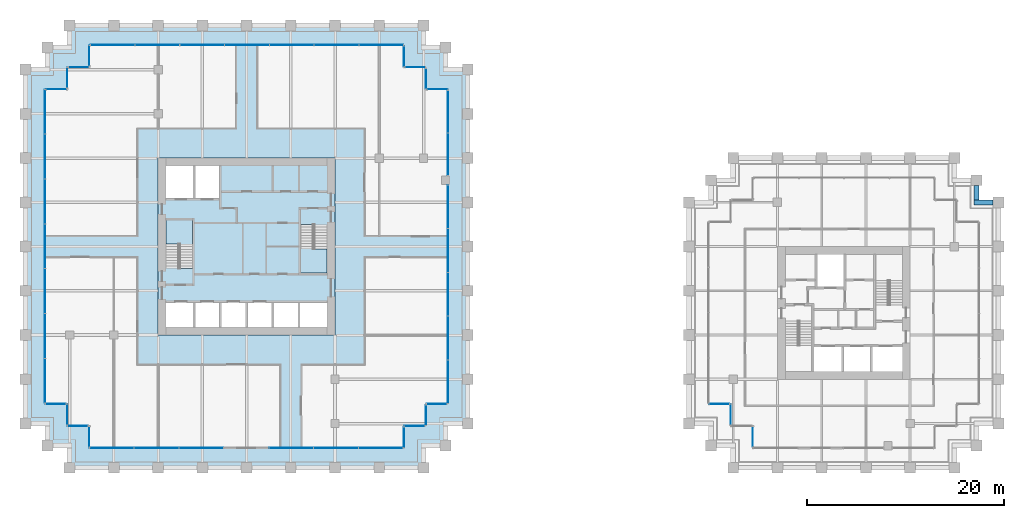
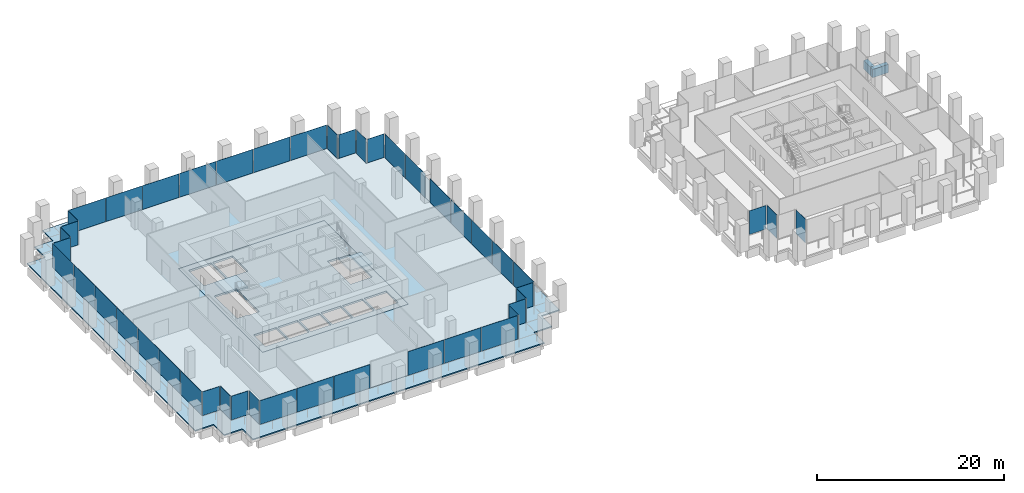
# One storey, part 48 of 54: 46 plates, 5 slabs, 2 beams, 27 elements without a shape of their own.
"""IFC4 building model written with IfcOpenShell, lengths in metres."""

from ifc_helpers import new_model, si_unit, direction, frame, origin, origin_2d, place, context, subcontext, project, spatial, polyline, rectangle, outline, extrude, material, layer, layer_set, material_profile, profile_set, type_object, element, aggregate, save


model = new_model("IFC4")

# Units and contexts
model_context = context("Model", 3, precision=1e-05, world=origin(), true_north=direction((0.0, 1.0)))
body_context = subcontext(model_context, "Body", "Model", "MODEL_VIEW")
ifc_project = project(units=[si_unit("LENGTHUNIT", "METRE"), si_unit("AREAUNIT", "SQUARE_METRE"), si_unit("VOLUMEUNIT", "CUBIC_METRE"), si_unit("PLANEANGLEUNIT", "RADIAN"), si_unit("MASSUNIT", "GRAM", prefix="KILO")], contexts=[model_context])

# Site, building, storey
site_placement = place(None, origin())
site = spatial("IfcSite", under=ifc_project, at=site_placement, CompositionType="ELEMENT")
building_placement = place(site_placement, origin())
building = spatial("IfcBuilding", under=site, at=building_placement, Name="Altepetl Exchange Towers", CompositionType="ELEMENT")
storey_placement = place(building_placement, frame((0.0, 0.0, 58.199951171875)))
storey = spatial("IfcBuildingStorey", under=building, at=storey_placement, Name="L13", CompositionType="ELEMENT", Elevation=58.199951171875)

# Beams
ifc_material_1 = material(Name="Concrete C50/60 precast with cantera amarilla facing", Category="concrete")
ifc_material_profile = material_profile(ifc_material_1, rectangle(XDim=0.5, YDim=1.10009765625, at=origin_2d()), Name="500 x 1100")
ifc_profile_set = profile_set([ifc_material_profile], Name="Concrete C50/60 precast with cantera amarilla facing")
beam_type = type_object("IfcBeamType", Name="Spandrel beam 500x1100 cantera amarilla", PredefinedType="SPANDREL", material=ifc_profile_set)
beam_1_placement = place(storey_placement, frame((125.449951171875, 54.0, -0.699951171875), z_axis=(-1.0, 0.0, 0.0), x_axis=(0.0, -1.0, 0.0)))
element("IfcBeam", 1, at=beam_1_placement, inside=storey, type_object=beam_type, Name="sp:B:L13:014", PredefinedType="SPANDREL", context=body_context, shape_type="SweptSolid", body=[
    extrude(rectangle(XDim=0.5, YDim=1.10009765625, at=origin_2d()), origin(), (0.0, 0.0, 1.0), 1.949951171875),
])
beam_2_placement = place(storey_placement, frame((123.75, 54.25, -0.699951171875), z_axis=(0.0, 1.0, 0.0), x_axis=(-1.0, 0.0, 0.0)))
element("IfcBeam", 2, at=beam_2_placement, inside=storey, type_object=beam_type, Name="sp:B:L13:015", PredefinedType="SPANDREL", context=body_context, shape_type="SweptSolid", body=[
    extrude(rectangle(XDim=0.5, YDim=1.10009765625, at=origin_2d()), origin(), (0.0, 0.0, 1.0), 1.449951171875),
])

# Slabs
ifc_material_2 = material(Name="Concrete C40/50", Category="concrete")
ifc_layer_1 = layer(ifc_material_2, 0.14990234375)
ifc_layer_set_1 = layer_set([ifc_layer_1], Name="Concrete C40/50")
slab_type_1 = type_object("IfcSlabType", Name="Composite floor slab 150", PredefinedType="FLOOR", material=ifc_layer_set_1)
slab_1_placement = place(storey_placement, frame((0.0, 0.0, -0.14990234375)))
element("IfcSlab", 3, at=slab_1_placement, inside=storey, type_object=slab_type_1, Name="slab:A:L13:strip0", PredefinedType="FLOOR", context=body_context, shape_type="SweptSolid", body=[
    extrude(outline(polyline([(31.25, 67.75), (31.25, 65.5), (29.0, 65.5), (29.0, 33.5), (31.25, 33.5), (31.25, 31.25), (33.5, 31.25), (33.5, 29.0), (65.5, 29.0), (65.5, 31.25), (67.75, 31.25), (67.75, 33.5), (70.0, 33.5), (70.0, 65.5), (67.75, 65.5), (67.75, 67.75), (65.5, 67.75), (65.5, 70.0), (33.5, 70.0), (33.5, 67.75), (31.25, 67.75)]), holes=[polyline([(58.5, 58.5), (58.5, 40.5), (40.5, 40.5), (40.5, 58.5), (58.5, 58.5)])]), origin(), (0.0, 0.0, 1.0), 0.14990234375),
])
ifc_layer_2 = layer(ifc_material_2, 0.25)
ifc_layer_set_2 = layer_set([ifc_layer_2], Name="Concrete C40/50")
slab_type_2 = type_object("IfcSlabType", Name="Core floor slab 250", PredefinedType="FLOOR", material=ifc_layer_set_2)
slab_2_placement = place(storey_placement, frame((0.0, 0.0, -0.25)))
element("IfcSlab", 4, at=slab_2_placement, inside=storey, type_object=slab_type_2, Name="slab:A:L13:core0", PredefinedType="FLOOR", context=body_context, shape_type="SweptSolid", body=[
    extrude(outline(polyline([(40.5, 40.5), (58.5, 40.5), (58.5, 58.5), (40.5, 58.5), (40.5, 40.5)]), holes=[polyline([(41.300048828125, 43.800048828125), (44.06689453125, 43.800048828125), (44.06689453125, 41.300048828125), (41.300048828125, 41.300048828125), (41.300048828125, 43.800048828125)]), polyline([(44.26708984375, 43.800048828125), (46.73291015625, 43.800048828125), (46.73291015625, 41.300048828125), (44.26708984375, 41.300048828125), (44.26708984375, 43.800048828125)]), polyline([(46.93310546875, 43.800048828125), (49.39990234375, 43.800048828125), (49.39990234375, 41.300048828125), (46.93310546875, 41.300048828125), (46.93310546875, 43.800048828125)]), polyline([(52.06689453125, 43.800048828125), (52.06689453125, 41.300048828125), (49.60009765625, 41.300048828125), (49.60009765625, 43.800048828125), (52.06689453125, 43.800048828125)]), polyline([(54.73291015625, 43.800048828125), (54.73291015625, 41.300048828125), (52.26708984375, 41.300048828125), (52.26708984375, 43.800048828125), (54.73291015625, 43.800048828125)]), polyline([(54.93310546875, 43.800048828125), (57.699951171875, 43.800048828125), (57.699951171875, 41.300048828125), (54.93310546875, 41.300048828125), (54.93310546875, 43.800048828125)]), polyline([(55.0, 51.7490234375), (56.39990234375, 51.7490234375), (56.39990234375, 51.64990234375), (57.699951171875, 51.64990234375), (57.699951171875, 46.800048828125), (55.0, 46.800048828125), (55.0, 51.7490234375)]), polyline([(44.0, 47.2509765625), (42.60009765625, 47.2509765625), (42.60009765625, 47.35009765625), (41.300048828125, 47.35009765625), (41.300048828125, 52.199951171875), (44.0, 52.199951171875), (44.0, 47.2509765625)]), polyline([(44.06689453125, 57.699951171875), (44.06689453125, 54.39990234375), (41.300048828125, 54.39990234375), (41.300048828125, 57.699951171875), (44.06689453125, 57.699951171875)]), polyline([(46.73291015625, 57.699951171875), (46.73291015625, 54.39990234375), (44.26708984375, 54.39990234375), (44.26708984375, 57.699951171875), (46.73291015625, 57.699951171875)])]), origin(), (0.0, 0.0, 1.0), 0.25),
])

# Curtain wall, plate
ifc_material_3 = material(Name="Aluminium 6063-T6 glazing", Category="aluminium")
curtain_wall_type = type_object("IfcCurtainWallType", Name="Loggia glazing system", PredefinedType="NOTDEFINED", material=ifc_material_3)
curtain_wall_1_placement = place(storey_placement, origin())
curtain_wall_1 = element("IfcCurtainWall", 5, at=curtain_wall_1_placement, inside=storey, type_object=curtain_wall_type, Name="CW1 run", PredefinedType="NOTDEFINED")
ifc_material_4 = material(Name="Glass 6-16-6 low emissivity", Category="glass")
ifc_layer_3 = layer(ifc_material_4, 0.028076171875)
ifc_layer_set_3 = layer_set([ifc_layer_3], Name="Glass 6-16-6 low emissivity")
plate_type = type_object("IfcPlateType", Name="Glass panel 28 double glazed", PredefinedType="CURTAIN_PANEL", material=ifc_layer_set_3)
plate_1_placement = place(storey_placement, frame((30.16259765625, 65.5, 0.0), z_axis=(0.0, 0.0, 1.0), x_axis=(-1.0, 0.0, 0.0)))
plate_1 = element("IfcPlate", 6, at=plate_1_placement, type_object=plate_type, Name="GP1 panel", PredefinedType="CURTAIN_PANEL", context=body_context, shape_type="SweptSolid", body=[
    extrude(rectangle(XDim=2.054931640625, YDim=0.028076171875, at=origin_2d()), origin(), (0.0, 0.0, 1.0), 3.10009765625),
])
aggregate(curtain_wall_1, [plate_1])

# Curtain wall, plates
curtain_wall_2_placement = place(storey_placement, origin())
curtain_wall_2 = element("IfcCurtainWall", 7, at=curtain_wall_2_placement, inside=storey, type_object=curtain_wall_type, Name="CW1 run", PredefinedType="NOTDEFINED")
plate_2_placement = place(storey_placement, frame((29.0, 63.20458984375, 0.0), z_axis=(0.0, 0.0, 1.0), x_axis=(0.0, -1.0, 0.0)))
plate_2 = element("IfcPlate", 8, at=plate_2_placement, type_object=plate_type, Name="GP1 panel", PredefinedType="CURTAIN_PANEL", context=body_context, shape_type="SweptSolid", body=[
    extrude(rectangle(XDim=4.470703125, YDim=0.028076171875, at=origin_2d()), origin(), (0.0, 0.0, 1.0), 3.10009765625),
])
plate_3_placement = place(storey_placement, frame((29.0, 58.658935546875, 0.0), z_axis=(0.0, 0.0, 1.0), x_axis=(0.0, -1.0, 0.0)))
plate_3 = element("IfcPlate", 9, at=plate_3_placement, type_object=plate_type, Name="GP1 panel", PredefinedType="CURTAIN_PANEL", context=body_context, shape_type="SweptSolid", body=[
    extrude(rectangle(XDim=4.500732421875, YDim=0.028076171875, at=origin_2d()), origin(), (0.0, 0.0, 1.0), 3.10009765625),
])
plate_4_placement = place(storey_placement, frame((29.0, 54.09814453125, 0.0), z_axis=(0.0, 0.0, 1.0), x_axis=(0.0, -1.0, 0.0)))
plate_4 = element("IfcPlate", 10, at=plate_4_placement, type_object=plate_type, Name="GP1 panel", PredefinedType="CURTAIN_PANEL", context=body_context, shape_type="SweptSolid", body=[
    extrude(rectangle(XDim=4.500732421875, YDim=0.028076171875, at=origin_2d()), origin(), (0.0, 0.0, 1.0), 3.10009765625),
])
plate_5_placement = place(storey_placement, frame((29.0, 49.53759765625, 0.0), z_axis=(0.0, 0.0, 1.0), x_axis=(0.0, -1.0, 0.0)))
plate_5 = element("IfcPlate", 11, at=plate_5_placement, type_object=plate_type, Name="GP1 panel", PredefinedType="CURTAIN_PANEL", context=body_context, shape_type="SweptSolid", body=[
    extrude(rectangle(XDim=4.500732421875, YDim=0.028076171875, at=origin_2d()), origin(), (0.0, 0.0, 1.0), 3.10009765625),
])
plate_6_placement = place(storey_placement, frame((29.0, 44.976806640625, 0.0), z_axis=(0.0, 0.0, 1.0), x_axis=(0.0, -1.0, 0.0)))
plate_6 = element("IfcPlate", 12, at=plate_6_placement, type_object=plate_type, Name="GP1 panel", PredefinedType="CURTAIN_PANEL", context=body_context, shape_type="SweptSolid", body=[
    extrude(rectangle(XDim=4.500732421875, YDim=0.028076171875, at=origin_2d()), origin(), (0.0, 0.0, 1.0), 3.10009765625),
])
plate_7_placement = place(storey_placement, frame((29.0, 40.416015625, 0.0), z_axis=(0.0, 0.0, 1.0), x_axis=(0.0, -1.0, 0.0)))
plate_7 = element("IfcPlate", 13, at=plate_7_placement, type_object=plate_type, Name="GP1 panel", PredefinedType="CURTAIN_PANEL", context=body_context, shape_type="SweptSolid", body=[
    extrude(rectangle(XDim=4.500732421875, YDim=0.028076171875, at=origin_2d()), origin(), (0.0, 0.0, 1.0), 3.10009765625),
])
plate_8_placement = place(storey_placement, frame((29.0, 35.870361328125, 0.0), z_axis=(0.0, 0.0, 1.0), x_axis=(0.0, -1.0, 0.0)))
plate_8 = element("IfcPlate", 14, at=plate_8_placement, type_object=plate_type, Name="GP1 panel", PredefinedType="CURTAIN_PANEL", context=body_context, shape_type="SweptSolid", body=[
    extrude(rectangle(XDim=4.470703125, YDim=0.028076171875, at=origin_2d()), origin(), (0.0, 0.0, 1.0), 3.10009765625),
])
aggregate(curtain_wall_2, [plate_2, plate_3, plate_4, plate_5, plate_6, plate_7, plate_8])

# Curtain wall, plate
curtain_wall_3_placement = place(storey_placement, origin())
curtain_wall_3 = element("IfcCurtainWall", 15, at=curtain_wall_3_placement, inside=storey, type_object=curtain_wall_type, Name="CW1 run", PredefinedType="NOTDEFINED")
plate_9_placement = place(storey_placement, frame((30.08740234375, 33.5, 0.0)))
plate_9 = element("IfcPlate", 16, at=plate_9_placement, type_object=plate_type, Name="GP1 panel", PredefinedType="CURTAIN_PANEL", context=body_context, shape_type="SweptSolid", body=[
    extrude(rectangle(XDim=2.054931640625, YDim=0.028076171875, at=origin_2d()), origin(), (0.0, 0.0, 1.0), 3.10009765625),
])
aggregate(curtain_wall_3, [plate_9])

curtain_wall_4_placement = place(storey_placement, origin())
curtain_wall_4 = element("IfcCurtainWall", 17, at=curtain_wall_4_placement, inside=storey, type_object=curtain_wall_type, Name="CW1 run", PredefinedType="NOTDEFINED")
plate_10_placement = place(storey_placement, frame((31.25, 32.41259765625, 0.0), z_axis=(0.0, 0.0, 1.0), x_axis=(0.0, -1.0, 0.0)))
plate_10 = element("IfcPlate", 18, at=plate_10_placement, type_object=plate_type, Name="GP1 panel", PredefinedType="CURTAIN_PANEL", context=body_context, shape_type="SweptSolid", body=[
    extrude(rectangle(XDim=2.054931640625, YDim=0.028076171875, at=origin_2d()), origin(), (0.0, 0.0, 1.0), 3.10009765625),
])
aggregate(curtain_wall_4, [plate_10])

curtain_wall_5_placement = place(storey_placement, origin())
curtain_wall_5 = element("IfcCurtainWall", 19, at=curtain_wall_5_placement, inside=storey, type_object=curtain_wall_type, Name="CW1 run", PredefinedType="NOTDEFINED")
plate_11_placement = place(storey_placement, frame((32.33740234375, 31.25, 0.0)))
plate_11 = element("IfcPlate", 20, at=plate_11_placement, type_object=plate_type, Name="GP1 panel", PredefinedType="CURTAIN_PANEL", context=body_context, shape_type="SweptSolid", body=[
    extrude(rectangle(XDim=2.054931640625, YDim=0.028076171875, at=origin_2d()), origin(), (0.0, 0.0, 1.0), 3.10009765625),
])
aggregate(curtain_wall_5, [plate_11])

curtain_wall_6_placement = place(storey_placement, origin())
curtain_wall_6 = element("IfcCurtainWall", 21, at=curtain_wall_6_placement, inside=storey, type_object=curtain_wall_type, Name="CW1 run", PredefinedType="NOTDEFINED")
plate_12_placement = place(storey_placement, frame((33.5, 30.16259765625, 0.0), z_axis=(0.0, 0.0, 1.0), x_axis=(0.0, -1.0, 0.0)))
plate_12 = element("IfcPlate", 22, at=plate_12_placement, type_object=plate_type, Name="GP1 panel", PredefinedType="CURTAIN_PANEL", context=body_context, shape_type="SweptSolid", body=[
    extrude(rectangle(XDim=2.054931640625, YDim=0.028076171875, at=origin_2d()), origin(), (0.0, 0.0, 1.0), 3.10009765625),
])
aggregate(curtain_wall_6, [plate_12])

# Curtain wall, plates
curtain_wall_7_placement = place(storey_placement, origin())
curtain_wall_7 = element("IfcCurtainWall", 23, at=curtain_wall_7_placement, inside=storey, type_object=curtain_wall_type, Name="CW1 run", PredefinedType="NOTDEFINED")
plate_13_placement = place(storey_placement, frame((35.79541015625, 29.0, 0.0)))
plate_13 = element("IfcPlate", 24, at=plate_13_placement, type_object=plate_type, Name="GP1 panel", PredefinedType="CURTAIN_PANEL", context=body_context, shape_type="SweptSolid", body=[
    extrude(rectangle(XDim=4.470703125, YDim=0.028076171875, at=origin_2d()), origin(), (0.0, 0.0, 1.0), 3.10009765625),
])
plate_14_placement = place(storey_placement, frame((40.341064453125, 29.0, 0.0)))
plate_14 = element("IfcPlate", 25, at=plate_14_placement, type_object=plate_type, Name="GP1 panel", PredefinedType="CURTAIN_PANEL", context=body_context, shape_type="SweptSolid", body=[
    extrude(rectangle(XDim=4.500732421875, YDim=0.028076171875, at=origin_2d()), origin(), (0.0, 0.0, 1.0), 3.10009765625),
])
plate_15_placement = place(storey_placement, frame((44.88671875, 29.0, 0.0)))
plate_15 = element("IfcPlate", 26, at=plate_15_placement, type_object=plate_type, Name="GP1 panel", PredefinedType="CURTAIN_PANEL", context=body_context, shape_type="SweptSolid", body=[
    extrude(rectangle(XDim=4.470703125, YDim=0.028076171875, at=origin_2d()), origin(), (0.0, 0.0, 1.0), 3.10009765625),
])
aggregate(curtain_wall_7, [plate_13, plate_14, plate_15])

curtain_wall_8_placement = place(storey_placement, origin())
curtain_wall_8 = element("IfcCurtainWall", 27, at=curtain_wall_8_placement, inside=storey, type_object=curtain_wall_type, Name="CW1 run", PredefinedType="NOTDEFINED")
plate_16_placement = place(storey_placement, frame((54.038330078125, 29.0, 0.0)))
plate_16 = element("IfcPlate", 28, at=plate_16_placement, type_object=plate_type, Name="GP1 panel", PredefinedType="CURTAIN_PANEL", context=body_context, shape_type="SweptSolid", body=[
    extrude(rectangle(XDim=4.470703125, YDim=0.028076171875, at=origin_2d()), origin(), (0.0, 0.0, 1.0), 3.10009765625),
])
plate_17_placement = place(storey_placement, frame((58.583984375, 29.0, 0.0)))
plate_17 = element("IfcPlate", 29, at=plate_17_placement, type_object=plate_type, Name="GP1 panel", PredefinedType="CURTAIN_PANEL", context=body_context, shape_type="SweptSolid", body=[
    extrude(rectangle(XDim=4.500732421875, YDim=0.028076171875, at=origin_2d()), origin(), (0.0, 0.0, 1.0), 3.10009765625),
])
plate_18_placement = place(storey_placement, frame((63.129638671875, 29.0, 0.0)))
plate_18 = element("IfcPlate", 30, at=plate_18_placement, type_object=plate_type, Name="GP1 panel", PredefinedType="CURTAIN_PANEL", context=body_context, shape_type="SweptSolid", body=[
    extrude(rectangle(XDim=4.470703125, YDim=0.028076171875, at=origin_2d()), origin(), (0.0, 0.0, 1.0), 3.10009765625),
])
aggregate(curtain_wall_8, [plate_16, plate_17, plate_18])

# Curtain wall, plate
curtain_wall_9_placement = place(storey_placement, origin())
curtain_wall_9 = element("IfcCurtainWall", 31, at=curtain_wall_9_placement, inside=storey, type_object=curtain_wall_type, Name="CW1 run", PredefinedType="NOTDEFINED")
plate_19_placement = place(storey_placement, frame((65.5, 30.08740234375, 0.0), z_axis=(0.0, 0.0, 1.0), x_axis=(0.0, 1.0, 0.0)))
plate_19 = element("IfcPlate", 32, at=plate_19_placement, type_object=plate_type, Name="GP1 panel", PredefinedType="CURTAIN_PANEL", context=body_context, shape_type="SweptSolid", body=[
    extrude(rectangle(XDim=2.054931640625, YDim=0.028076171875, at=origin_2d()), origin(), (0.0, 0.0, 1.0), 3.10009765625),
])
aggregate(curtain_wall_9, [plate_19])

curtain_wall_10_placement = place(storey_placement, origin())
curtain_wall_10 = element("IfcCurtainWall", 33, at=curtain_wall_10_placement, inside=storey, type_object=curtain_wall_type, Name="CW1 run", PredefinedType="NOTDEFINED")
plate_20_placement = place(storey_placement, frame((66.58740234375, 31.25, 0.0)))
plate_20 = element("IfcPlate", 34, at=plate_20_placement, type_object=plate_type, Name="GP1 panel", PredefinedType="CURTAIN_PANEL", context=body_context, shape_type="SweptSolid", body=[
    extrude(rectangle(XDim=2.054931640625, YDim=0.028076171875, at=origin_2d()), origin(), (0.0, 0.0, 1.0), 3.10009765625),
])
aggregate(curtain_wall_10, [plate_20])

curtain_wall_11_placement = place(storey_placement, origin())
curtain_wall_11 = element("IfcCurtainWall", 35, at=curtain_wall_11_placement, inside=storey, type_object=curtain_wall_type, Name="CW1 run", PredefinedType="NOTDEFINED")
plate_21_placement = place(storey_placement, frame((67.75, 32.33740234375, 0.0), z_axis=(0.0, 0.0, 1.0), x_axis=(0.0, 1.0, 0.0)))
plate_21 = element("IfcPlate", 36, at=plate_21_placement, type_object=plate_type, Name="GP1 panel", PredefinedType="CURTAIN_PANEL", context=body_context, shape_type="SweptSolid", body=[
    extrude(rectangle(XDim=2.054931640625, YDim=0.028076171875, at=origin_2d()), origin(), (0.0, 0.0, 1.0), 3.10009765625),
])
aggregate(curtain_wall_11, [plate_21])

curtain_wall_12_placement = place(storey_placement, origin())
curtain_wall_12 = element("IfcCurtainWall", 37, at=curtain_wall_12_placement, inside=storey, type_object=curtain_wall_type, Name="CW1 run", PredefinedType="NOTDEFINED")
plate_22_placement = place(storey_placement, frame((68.83740234375, 33.5, 0.0)))
plate_22 = element("IfcPlate", 38, at=plate_22_placement, type_object=plate_type, Name="GP1 panel", PredefinedType="CURTAIN_PANEL", context=body_context, shape_type="SweptSolid", body=[
    extrude(rectangle(XDim=2.054931640625, YDim=0.028076171875, at=origin_2d()), origin(), (0.0, 0.0, 1.0), 3.10009765625),
])
aggregate(curtain_wall_12, [plate_22])

# Curtain wall, plates
curtain_wall_13_placement = place(storey_placement, origin())
curtain_wall_13 = element("IfcCurtainWall", 39, at=curtain_wall_13_placement, inside=storey, type_object=curtain_wall_type, Name="CW1 run", PredefinedType="NOTDEFINED")
plate_23_placement = place(storey_placement, frame((70.0, 35.74560546875, 0.0), z_axis=(0.0, 0.0, 1.0), x_axis=(0.0, 1.0, 0.0)))
plate_23 = element("IfcPlate", 40, at=plate_23_placement, type_object=plate_type, Name="GP1 panel", PredefinedType="CURTAIN_PANEL", context=body_context, shape_type="SweptSolid", body=[
    extrude(rectangle(XDim=4.37109375, YDim=0.028076171875, at=origin_2d()), origin(), (0.0, 0.0, 1.0), 3.10009765625),
])
plate_24_placement = place(storey_placement, frame((70.0, 40.19140625, 0.0), z_axis=(0.0, 0.0, 1.0), x_axis=(0.0, 1.0, 0.0)))
plate_24 = element("IfcPlate", 41, at=plate_24_placement, type_object=plate_type, Name="GP1 panel", PredefinedType="CURTAIN_PANEL", context=body_context, shape_type="SweptSolid", body=[
    extrude(rectangle(XDim=4.40087890625, YDim=0.028076171875, at=origin_2d()), origin(), (0.0, 0.0, 1.0), 3.10009765625),
])
plate_25_placement = place(storey_placement, frame((70.0, 44.652587890625, 0.0), z_axis=(0.0, 0.0, 1.0), x_axis=(0.0, 1.0, 0.0)))
plate_25 = element("IfcPlate", 42, at=plate_25_placement, type_object=plate_type, Name="GP1 panel", PredefinedType="CURTAIN_PANEL", context=body_context, shape_type="SweptSolid", body=[
    extrude(rectangle(XDim=4.40087890625, YDim=0.028076171875, at=origin_2d()), origin(), (0.0, 0.0, 1.0), 3.10009765625),
])
plate_26_placement = place(storey_placement, frame((70.0, 49.113525390625, 0.0), z_axis=(0.0, 0.0, 1.0), x_axis=(0.0, 1.0, 0.0)))
plate_26 = element("IfcPlate", 43, at=plate_26_placement, type_object=plate_type, Name="GP1 panel", PredefinedType="CURTAIN_PANEL", context=body_context, shape_type="SweptSolid", body=[
    extrude(rectangle(XDim=4.40087890625, YDim=0.028076171875, at=origin_2d()), origin(), (0.0, 0.0, 1.0), 3.10009765625),
])
plate_27_placement = place(storey_placement, frame((70.0, 53.5595703125, 0.0), z_axis=(0.0, 0.0, 1.0), x_axis=(0.0, 1.0, 0.0)))
plate_27 = element("IfcPlate", 44, at=plate_27_placement, type_object=plate_type, Name="GP1 panel", PredefinedType="CURTAIN_PANEL", context=body_context, shape_type="SweptSolid", body=[
    extrude(rectangle(XDim=4.37109375, YDim=0.028076171875, at=origin_2d()), origin(), (0.0, 0.0, 1.0), 3.10009765625),
])
aggregate(curtain_wall_13, [plate_23, plate_24, plate_25, plate_26, plate_27])

curtain_wall_14_placement = place(storey_placement, origin())
curtain_wall_14 = element("IfcCurtainWall", 45, at=curtain_wall_14_placement, inside=storey, type_object=curtain_wall_type, Name="CW1 run", PredefinedType="NOTDEFINED")
plate_28_placement = place(storey_placement, frame((70.0, 58.892578125, 0.0), z_axis=(0.0, 0.0, 1.0), x_axis=(0.0, 1.0, 0.0)))
plate_28 = element("IfcPlate", 46, at=plate_28_placement, type_object=plate_type, Name="GP1 panel", PredefinedType="CURTAIN_PANEL", context=body_context, shape_type="SweptSolid", body=[
    extrude(rectangle(XDim=4.27490234375, YDim=0.028076171875, at=origin_2d()), origin(), (0.0, 0.0, 1.0), 3.10009765625),
])
plate_29_placement = place(storey_placement, frame((70.0, 63.2275390625, 0.0), z_axis=(0.0, 0.0, 1.0), x_axis=(0.0, 1.0, 0.0)))
plate_29 = element("IfcPlate", 47, at=plate_29_placement, type_object=plate_type, Name="GP1 panel", PredefinedType="CURTAIN_PANEL", context=body_context, shape_type="SweptSolid", body=[
    extrude(rectangle(XDim=4.27490234375, YDim=0.028076171875, at=origin_2d()), origin(), (0.0, 0.0, 1.0), 3.10009765625),
])
aggregate(curtain_wall_14, [plate_28, plate_29])

# Curtain wall, plate
curtain_wall_15_placement = place(storey_placement, origin())
curtain_wall_15 = element("IfcCurtainWall", 48, at=curtain_wall_15_placement, inside=storey, type_object=curtain_wall_type, Name="CW1 run", PredefinedType="NOTDEFINED")
plate_30_placement = place(storey_placement, frame((68.91259765625, 65.5, 0.0), z_axis=(0.0, 0.0, 1.0), x_axis=(-1.0, 0.0, 0.0)))
plate_30 = element("IfcPlate", 49, at=plate_30_placement, type_object=plate_type, Name="GP1 panel", PredefinedType="CURTAIN_PANEL", context=body_context, shape_type="SweptSolid", body=[
    extrude(rectangle(XDim=2.054931640625, YDim=0.028076171875, at=origin_2d()), origin(), (0.0, 0.0, 1.0), 3.10009765625),
])
aggregate(curtain_wall_15, [plate_30])

curtain_wall_16_placement = place(storey_placement, origin())
curtain_wall_16 = element("IfcCurtainWall", 50, at=curtain_wall_16_placement, inside=storey, type_object=curtain_wall_type, Name="CW1 run", PredefinedType="NOTDEFINED")
plate_31_placement = place(storey_placement, frame((67.75, 66.58740234375, 0.0), z_axis=(0.0, 0.0, 1.0), x_axis=(0.0, 1.0, 0.0)))
plate_31 = element("IfcPlate", 51, at=plate_31_placement, type_object=plate_type, Name="GP1 panel", PredefinedType="CURTAIN_PANEL", context=body_context, shape_type="SweptSolid", body=[
    extrude(rectangle(XDim=2.054931640625, YDim=0.028076171875, at=origin_2d()), origin(), (0.0, 0.0, 1.0), 3.10009765625),
])
aggregate(curtain_wall_16, [plate_31])

curtain_wall_17_placement = place(storey_placement, origin())
curtain_wall_17 = element("IfcCurtainWall", 52, at=curtain_wall_17_placement, inside=storey, type_object=curtain_wall_type, Name="CW1 run", PredefinedType="NOTDEFINED")
plate_32_placement = place(storey_placement, frame((66.66259765625, 67.75, 0.0), z_axis=(0.0, 0.0, 1.0), x_axis=(-1.0, 0.0, 0.0)))
plate_32 = element("IfcPlate", 53, at=plate_32_placement, type_object=plate_type, Name="GP1 panel", PredefinedType="CURTAIN_PANEL", context=body_context, shape_type="SweptSolid", body=[
    extrude(rectangle(XDim=2.054931640625, YDim=0.028076171875, at=origin_2d()), origin(), (0.0, 0.0, 1.0), 3.10009765625),
])
aggregate(curtain_wall_17, [plate_32])

curtain_wall_18_placement = place(storey_placement, origin())
curtain_wall_18 = element("IfcCurtainWall", 54, at=curtain_wall_18_placement, inside=storey, type_object=curtain_wall_type, Name="CW1 run", PredefinedType="NOTDEFINED")
plate_33_placement = place(storey_placement, frame((65.5, 68.83740234375, 0.0), z_axis=(0.0, 0.0, 1.0), x_axis=(0.0, 1.0, 0.0)))
plate_33 = element("IfcPlate", 55, at=plate_33_placement, type_object=plate_type, Name="GP1 panel", PredefinedType="CURTAIN_PANEL", context=body_context, shape_type="SweptSolid", body=[
    extrude(rectangle(XDim=2.054931640625, YDim=0.028076171875, at=origin_2d()), origin(), (0.0, 0.0, 1.0), 3.10009765625),
])
aggregate(curtain_wall_18, [plate_33])

# Curtain wall, plates
curtain_wall_19_placement = place(storey_placement, origin())
curtain_wall_19 = element("IfcCurtainWall", 56, at=curtain_wall_19_placement, inside=storey, type_object=curtain_wall_type, Name="CW1 run", PredefinedType="NOTDEFINED")
plate_34_placement = place(storey_placement, frame((63.20458984375, 70.0, 0.0), z_axis=(0.0, 0.0, 1.0), x_axis=(-1.0, 0.0, 0.0)))
plate_34 = element("IfcPlate", 57, at=plate_34_placement, type_object=plate_type, Name="GP1 panel", PredefinedType="CURTAIN_PANEL", context=body_context, shape_type="SweptSolid", body=[
    extrude(rectangle(XDim=4.470703125, YDim=0.028076171875, at=origin_2d()), origin(), (0.0, 0.0, 1.0), 3.10009765625),
])
plate_35_placement = place(storey_placement, frame((58.658935546875, 70.0, 0.0), z_axis=(0.0, 0.0, 1.0), x_axis=(-1.0, 0.0, 0.0)))
plate_35 = element("IfcPlate", 58, at=plate_35_placement, type_object=plate_type, Name="GP1 panel", PredefinedType="CURTAIN_PANEL", context=body_context, shape_type="SweptSolid", body=[
    extrude(rectangle(XDim=4.500732421875, YDim=0.028076171875, at=origin_2d()), origin(), (0.0, 0.0, 1.0), 3.10009765625),
])
plate_36_placement = place(storey_placement, frame((54.09814453125, 70.0, 0.0), z_axis=(0.0, 0.0, 1.0), x_axis=(-1.0, 0.0, 0.0)))
plate_36 = element("IfcPlate", 59, at=plate_36_placement, type_object=plate_type, Name="GP1 panel", PredefinedType="CURTAIN_PANEL", context=body_context, shape_type="SweptSolid", body=[
    extrude(rectangle(XDim=4.500732421875, YDim=0.028076171875, at=origin_2d()), origin(), (0.0, 0.0, 1.0), 3.10009765625),
])
plate_37_placement = place(storey_placement, frame((49.53759765625, 70.0, 0.0), z_axis=(0.0, 0.0, 1.0), x_axis=(-1.0, 0.0, 0.0)))
plate_37 = element("IfcPlate", 60, at=plate_37_placement, type_object=plate_type, Name="GP1 panel", PredefinedType="CURTAIN_PANEL", context=body_context, shape_type="SweptSolid", body=[
    extrude(rectangle(XDim=4.500732421875, YDim=0.028076171875, at=origin_2d()), origin(), (0.0, 0.0, 1.0), 3.10009765625),
])
plate_38_placement = place(storey_placement, frame((44.976806640625, 70.0, 0.0), z_axis=(0.0, 0.0, 1.0), x_axis=(-1.0, 0.0, 0.0)))
plate_38 = element("IfcPlate", 61, at=plate_38_placement, type_object=plate_type, Name="GP1 panel", PredefinedType="CURTAIN_PANEL", context=body_context, shape_type="SweptSolid", body=[
    extrude(rectangle(XDim=4.500732421875, YDim=0.028076171875, at=origin_2d()), origin(), (0.0, 0.0, 1.0), 3.10009765625),
])
plate_39_placement = place(storey_placement, frame((40.416015625, 70.0, 0.0), z_axis=(0.0, 0.0, 1.0), x_axis=(-1.0, 0.0, 0.0)))
plate_39 = element("IfcPlate", 62, at=plate_39_placement, type_object=plate_type, Name="GP1 panel", PredefinedType="CURTAIN_PANEL", context=body_context, shape_type="SweptSolid", body=[
    extrude(rectangle(XDim=4.500732421875, YDim=0.028076171875, at=origin_2d()), origin(), (0.0, 0.0, 1.0), 3.10009765625),
])
plate_40_placement = place(storey_placement, frame((35.870361328125, 70.0, 0.0), z_axis=(0.0, 0.0, 1.0), x_axis=(-1.0, 0.0, 0.0)))
plate_40 = element("IfcPlate", 63, at=plate_40_placement, type_object=plate_type, Name="GP1 panel", PredefinedType="CURTAIN_PANEL", context=body_context, shape_type="SweptSolid", body=[
    extrude(rectangle(XDim=4.470703125, YDim=0.028076171875, at=origin_2d()), origin(), (0.0, 0.0, 1.0), 3.10009765625),
])
aggregate(curtain_wall_19, [plate_34, plate_35, plate_36, plate_37, plate_38, plate_39, plate_40])

# Curtain wall, plate
curtain_wall_20_placement = place(storey_placement, origin())
curtain_wall_20 = element("IfcCurtainWall", 64, at=curtain_wall_20_placement, inside=storey, type_object=curtain_wall_type, Name="CW1 run", PredefinedType="NOTDEFINED")
plate_41_placement = place(storey_placement, frame((33.5, 68.91259765625, 0.0), z_axis=(0.0, 0.0, 1.0), x_axis=(0.0, -1.0, 0.0)))
plate_41 = element("IfcPlate", 65, at=plate_41_placement, type_object=plate_type, Name="GP1 panel", PredefinedType="CURTAIN_PANEL", context=body_context, shape_type="SweptSolid", body=[
    extrude(rectangle(XDim=2.054931640625, YDim=0.028076171875, at=origin_2d()), origin(), (0.0, 0.0, 1.0), 3.10009765625),
])
aggregate(curtain_wall_20, [plate_41])

curtain_wall_21_placement = place(storey_placement, origin())
curtain_wall_21 = element("IfcCurtainWall", 66, at=curtain_wall_21_placement, inside=storey, type_object=curtain_wall_type, Name="CW1 run", PredefinedType="NOTDEFINED")
plate_42_placement = place(storey_placement, frame((32.41259765625, 67.75, 0.0), z_axis=(0.0, 0.0, 1.0), x_axis=(-1.0, 0.0, 0.0)))
plate_42 = element("IfcPlate", 67, at=plate_42_placement, type_object=plate_type, Name="GP1 panel", PredefinedType="CURTAIN_PANEL", context=body_context, shape_type="SweptSolid", body=[
    extrude(rectangle(XDim=2.054931640625, YDim=0.028076171875, at=origin_2d()), origin(), (0.0, 0.0, 1.0), 3.10009765625),
])
aggregate(curtain_wall_21, [plate_42])

curtain_wall_22_placement = place(storey_placement, origin())
curtain_wall_22 = element("IfcCurtainWall", 68, at=curtain_wall_22_placement, inside=storey, type_object=curtain_wall_type, Name="CW1 run", PredefinedType="NOTDEFINED")
plate_43_placement = place(storey_placement, frame((31.25, 66.66259765625, 0.0), z_axis=(0.0, 0.0, 1.0), x_axis=(0.0, -1.0, 0.0)))
plate_43 = element("IfcPlate", 69, at=plate_43_placement, type_object=plate_type, Name="GP1 panel", PredefinedType="CURTAIN_PANEL", context=body_context, shape_type="SweptSolid", body=[
    extrude(rectangle(XDim=2.054931640625, YDim=0.028076171875, at=origin_2d()), origin(), (0.0, 0.0, 1.0), 3.10009765625),
])
aggregate(curtain_wall_22, [plate_43])

curtain_wall_23_placement = place(storey_placement, origin())
curtain_wall_23 = element("IfcCurtainWall", 70, at=curtain_wall_23_placement, inside=storey, type_object=curtain_wall_type, Name="CW1 run", PredefinedType="NOTDEFINED")
plate_44_placement = place(storey_placement, frame((97.58740234375, 33.5, 0.0)))
plate_44 = element("IfcPlate", 71, at=plate_44_placement, type_object=plate_type, Name="GP1 panel", PredefinedType="CURTAIN_PANEL", context=body_context, shape_type="SweptSolid", body=[
    extrude(rectangle(XDim=2.054931640625, YDim=0.028076171875, at=origin_2d()), origin(), (0.0, 0.0, 1.0), 3.10009765625),
])
aggregate(curtain_wall_23, [plate_44])

curtain_wall_24_placement = place(storey_placement, origin())
curtain_wall_24 = element("IfcCurtainWall", 72, at=curtain_wall_24_placement, inside=storey, type_object=curtain_wall_type, Name="CW1 run", PredefinedType="NOTDEFINED")
plate_45_placement = place(storey_placement, frame((98.75, 32.41259765625, 0.0), z_axis=(0.0, 0.0, 1.0), x_axis=(0.0, -1.0, 0.0)))
plate_45 = element("IfcPlate", 73, at=plate_45_placement, type_object=plate_type, Name="GP1 panel", PredefinedType="CURTAIN_PANEL", context=body_context, shape_type="SweptSolid", body=[
    extrude(rectangle(XDim=2.054931640625, YDim=0.028076171875, at=origin_2d()), origin(), (0.0, 0.0, 1.0), 3.10009765625),
])
aggregate(curtain_wall_24, [plate_45])

curtain_wall_25_placement = place(storey_placement, origin())
curtain_wall_25 = element("IfcCurtainWall", 74, at=curtain_wall_25_placement, inside=storey, type_object=curtain_wall_type, Name="CW1 run", PredefinedType="NOTDEFINED")
plate_46_placement = place(storey_placement, frame((101.0, 30.16259765625, 0.0), z_axis=(0.0, 0.0, 1.0), x_axis=(0.0, -1.0, 0.0)))
plate_46 = element("IfcPlate", 75, at=plate_46_placement, type_object=plate_type, Name="GP1 panel", PredefinedType="CURTAIN_PANEL", context=body_context, shape_type="SweptSolid", body=[
    extrude(rectangle(XDim=2.054931640625, YDim=0.028076171875, at=origin_2d()), origin(), (0.0, 0.0, 1.0), 3.10009765625),
])
aggregate(curtain_wall_25, [plate_46])

# Slab
ifc_layer_4 = layer(ifc_material_2, 0.14990234375)
ifc_layer_set_4 = layer_set([ifc_layer_4], Name="Concrete C40/50")
slab_type_3 = type_object("IfcSlabType", Name="Loggia slab 150", PredefinedType="FLOOR", material=ifc_layer_set_4)
slab_3_placement = place(storey_placement, frame((0.0, 0.0, -0.14990234375)))
element("IfcSlab", 76, at=slab_3_placement, inside=storey, type_object=slab_type_3, Name="slab:A:L13:loggia0", PredefinedType="FLOOR", context=body_context, shape_type="SweptSolid", body=[
    extrude(outline(polyline([(29.25, 67.5), (27.0, 67.5), (27.0, 40.5), (27.0, 31.5), (29.25, 31.5), (29.25, 29.25), (31.5, 29.25), (31.5, 27.0), (58.5, 27.0), (67.5, 27.0), (67.5, 29.25), (69.75, 29.25), (69.75, 31.5), (72.0, 31.5), (72.0, 58.5), (72.0, 67.5), (69.75, 67.5), (69.75, 69.75), (67.5, 69.75), (67.5, 72.0), (40.5, 72.0), (31.5, 72.0), (31.5, 69.75), (29.25, 69.75), (29.25, 67.5)]), holes=[polyline([(29.0, 65.5), (31.25, 65.5), (31.25, 67.75), (33.5, 67.75), (33.5, 70.0), (65.5, 70.0), (65.5, 67.75), (67.75, 67.75), (67.75, 65.5), (70.0, 65.5), (70.0, 33.5), (67.75, 33.5), (67.75, 31.25), (65.5, 31.25), (65.5, 29.0), (33.5, 29.0), (33.5, 31.25), (31.25, 31.25), (31.25, 33.5), (29.0, 33.5), (29.0, 65.5)])]), origin(), (0.0, 0.0, 1.0), 0.14990234375),
])

# Stair, slab
stair_type = type_object("IfcStairType", Name="Exit stair 1300 flights dogleg", PredefinedType="HALF_TURN_STAIR", material=ifc_material_2)
stair_1_placement = place(storey_placement, origin())
stair_1 = element("IfcStair", 77, at=stair_1_placement, inside=storey, type_object=stair_type, Name="Exit stair 1", PredefinedType="HALF_TURN_STAIR")
ifc_layer_5 = layer(ifc_material_2, 0.199951171875)
ifc_layer_set_5 = layer_set([ifc_layer_5], Name="Concrete C40/50")
slab_type_4 = type_object("IfcSlabType", Name="Stair landing 200 reinforced concrete", PredefinedType="LANDING", material=ifc_layer_set_5)
slab_4_placement = place(storey_placement, frame((0.0, 0.0, 1.60009765625)))
slab_4 = element("IfcSlab", 78, at=slab_4_placement, type_object=slab_type_4, Name="ST-A1c landing 1", PredefinedType="LANDING", context=body_context, shape_type="SweptSolid", body=[
    extrude(outline(polyline([(44.0, 49.669921875), (42.699951171875, 49.669921875), (42.699951171875, 49.77001953125), (42.60009765625, 49.77001953125), (42.60009765625, 49.769287109375), (41.300048828125, 49.769287109375), (41.300048828125, 49.77001953125), (41.300048828125, 52.199951171875), (44.0, 52.199951171875), (44.0, 49.77001953125), (44.0, 49.669921875)])), origin(), (0.0, 0.0, 1.0), 0.199951171875),
])
aggregate(stair_1, [slab_4])

stair_2_placement = place(storey_placement, origin())
stair_2 = element("IfcStair", 79, at=stair_2_placement, inside=storey, type_object=stair_type, Name="Exit stair 2", PredefinedType="HALF_TURN_STAIR")
slab_5_placement = place(storey_placement, frame((0.0, 0.0, 1.60009765625)))
slab_5 = element("IfcSlab", 80, at=slab_5_placement, type_object=slab_type_4, Name="ST-A2c landing 1", PredefinedType="LANDING", context=body_context, shape_type="SweptSolid", body=[
    extrude(outline(polyline([(57.699951171875, 46.800048828125), (55.0, 46.800048828125), (55.0, 49.22998046875), (55.0, 49.330078125), (56.300048828125, 49.330078125), (56.300048828125, 49.22998046875), (56.39990234375, 49.22998046875), (56.39990234375, 49.230712890625), (57.699951171875, 49.230712890625), (57.699951171875, 49.22998046875), (57.699951171875, 46.800048828125)])), origin(), (0.0, 0.0, 1.0), 0.199951171875),
])
aggregate(stair_2, [slab_5])

save(model, "model.ifc")
